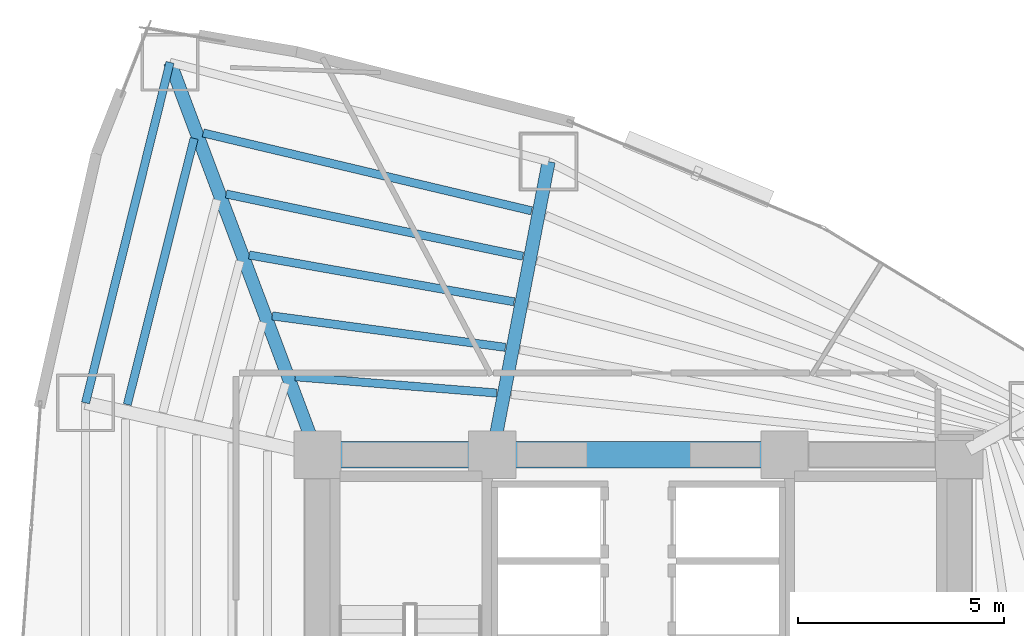
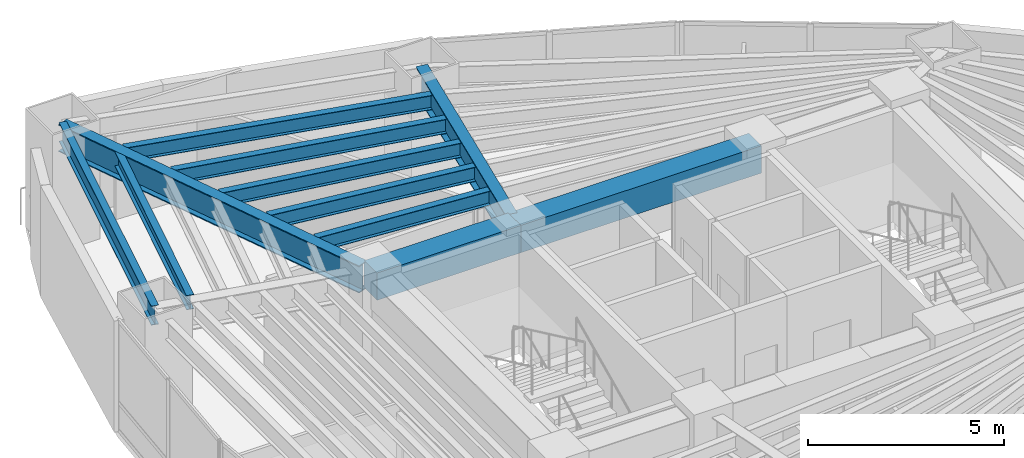
# One storey, part 8 of 18: 11 beams.
"""IFC4 building model written with IfcOpenShell, lengths in metres."""

from ifc_helpers import new_model, si_unit, direction, frame, origin, origin_2d, place, context, subcontext, project, spatial, rectangle, i_section, extrude, material, material_profile, profile_set, type_object, element, save


model = new_model("IFC4")

# Units and contexts
model_context = context("Model", 3, precision=1e-05, world=origin(), true_north=direction((0.0, 1.0)))
body_context = subcontext(model_context, "Body", "Model", "MODEL_VIEW")
ifc_project = project(units=[si_unit("LENGTHUNIT", "METRE"), si_unit("AREAUNIT", "SQUARE_METRE"), si_unit("VOLUMEUNIT", "CUBIC_METRE"), si_unit("PLANEANGLEUNIT", "RADIAN"), si_unit("MASSUNIT", "GRAM", prefix="KILO")], contexts=[model_context])

# Site, building, storey
site_placement = place(None, origin())
site = spatial("IfcSite", under=ifc_project, at=site_placement, CompositionType="ELEMENT")
building_placement = place(site_placement, origin())
building = spatial("IfcBuilding", under=site, at=building_placement, Name="Menara Vayukalpa", CompositionType="ELEMENT")
storey_placement = place(building_placement, frame((0.0, 0.0, 35.0400390625)))
storey = spatial("IfcBuildingStorey", under=building, at=storey_placement, Name="L07", CompositionType="ELEMENT", Elevation=35.0400390625)

# Beams
ifc_material_1 = material(Name="Concrete C60/75", Category="concrete")
ifc_material_profile_1 = material_profile(ifc_material_1, rectangle(XDim=0.64990234375, YDim=0.85009765625, at=origin_2d()), Name="RC 650x850")
ifc_profile_set_1 = profile_set([ifc_material_profile_1], Name="Concrete C60/75")
beam_type_1 = type_object("IfcBeamType", Name="BM-CB1", PredefinedType="BEAM", material=ifc_profile_set_1)
beam_1_placement = place(storey_placement, frame((17.800048828125, 26.800048828125, 3.044921875), z_axis=(1.0, 0.0, 0.0), x_axis=(0.0, 1.0, 0.0)))
element("IfcBeam", 1, at=beam_1_placement, inside=storey, type_object=beam_type_1, Name="L07 Core Tie Beam CBR4", PredefinedType="BEAM", context=body_context, shape_type="SweptSolid", body=[
    extrude(rectangle(XDim=0.64990234375, YDim=0.85009765625, at=origin_2d()), origin(), (0.0, 0.0, 1.0), 4.25),
])
beam_2_placement = place(storey_placement, frame((22.050048828125, 26.800048828125, 3.044921875), z_axis=(1.0, 0.0, 0.0), x_axis=(0.0, 1.0, 0.0)))
element("IfcBeam", 2, at=beam_2_placement, inside=storey, type_object=beam_type_1, Name="L07 Core Tie Beam CBR5", PredefinedType="BEAM", context=body_context, shape_type="SweptSolid", body=[
    extrude(rectangle(XDim=0.64990234375, YDim=0.85009765625, at=origin_2d()), origin(), (0.0, 0.0, 1.0), 7.099853515625),
])
ifc_material_2 = material(Name="Steel S355", Category="steel")
ifc_material_profile_2 = material_profile(ifc_material_2, i_section(OverallWidth=0.320068359375, OverallDepth=0.85009765625, WebThickness=0.01611328125, FlangeThickness=0.030029296875, at=origin_2d()), Name="WF 850x320x16x30")
ifc_profile_set_2 = profile_set([ifc_material_profile_2], Name="Steel S355")
beam_type_2 = type_object("IfcBeamType", Name="BM-PG2", PredefinedType="BEAM", material=ifc_profile_set_2)
beam_3_placement = place(storey_placement, frame((22.09716796875, 27.04541015625, 3.044921875), z_axis=(0.188803432672, 0.982014899995, 0.0), x_axis=(-0.982014899995, 0.188803432672, 0.0)))
element("IfcBeam", 3, at=beam_3_placement, inside=storey, type_object=beam_type_2, Name="L07 Primary Radial Girder RG03", PredefinedType="BEAM", context=body_context, shape_type="SweptSolid", body=[
    extrude(i_section(OverallWidth=0.320068359375, OverallDepth=0.85009765625, WebThickness=0.01611328125, FlangeThickness=0.030029296875, at=origin_2d()), origin(), (0.0, 0.0, 1.0), 7.00341796875),
])
beam_4_placement = place(storey_placement, frame((17.712158203125, 27.033935546875, 3.044921875), z_axis=(-0.351734656537, 0.93609974436, 0.0), x_axis=(-0.93609974436, -0.351734656537, 0.0)))
element("IfcBeam", 4, at=beam_4_placement, inside=storey, type_object=beam_type_2, Name="L07 Primary Radial Girder RG04", PredefinedType="BEAM", context=body_context, shape_type="SweptSolid", body=[
    extrude(i_section(OverallWidth=0.320068359375, OverallDepth=0.85009765625, WebThickness=0.01611328125, FlangeThickness=0.030029296875, at=origin_2d()), origin(), (0.0, 0.0, 1.0), 9.935302734375),
])
ifc_material_3 = material(Name="Steel S355", Category="steel")
ifc_material_profile_3 = material_profile(ifc_material_3, i_section(OverallWidth=0.199951171875, OverallDepth=0.449951171875, WebThickness=0.009033203125, FlangeThickness=0.013916015625, at=origin_2d()), Name="WF 450x200x9x14")
ifc_profile_set_3 = profile_set([ifc_material_profile_3], Name="Steel S355")
beam_type_3 = type_object("IfcBeamType", Name="BM-SJ1", PredefinedType="JOIST", material=ifc_profile_set_3)
beam_5_placement = place(storey_placement, frame((22.15576171875, 28.2978515625, 3.244873046875), z_axis=(-0.996745483939, 0.08061290373, 0.0), x_axis=(-0.08061290373, -0.996745483939, 0.0)))
element("IfcBeam", 5, at=beam_5_placement, inside=storey, type_object=beam_type_3, Name="L07 Secondary Floor Joist SJ03-1", PredefinedType="JOIST", context=body_context, shape_type="SweptSolid", body=[
    extrude(i_section(OverallWidth=0.199951171875, OverallDepth=0.449951171875, WebThickness=0.009033203125, FlangeThickness=0.013916015625, at=origin_2d()), origin(), (0.0, 0.0, 1.0), 4.9091796875),
])
beam_6_placement = place(storey_placement, frame((22.368408203125, 29.40771484375, 3.244873046875), z_axis=(-0.991021966654, 0.13369914588, 0.0), x_axis=(-0.13369914588, -0.991021966654, 0.0)))
element("IfcBeam", 6, at=beam_6_placement, inside=storey, type_object=beam_type_3, Name="L07 Secondary Floor Joist SJ03-2", PredefinedType="JOIST", context=body_context, shape_type="SweptSolid", body=[
    extrude(i_section(OverallWidth=0.199951171875, OverallDepth=0.449951171875, WebThickness=0.009033203125, FlangeThickness=0.013916015625, at=origin_2d()), origin(), (0.0, 0.0, 1.0), 5.71728515625),
])
beam_7_placement = place(storey_placement, frame((22.5810546875, 30.515380859375, 3.244873046875), z_axis=(-0.984753096925, 0.173957862993, 0.0), x_axis=(-0.173957862993, -0.984753096925, 0.0)))
element("IfcBeam", 7, at=beam_7_placement, inside=storey, type_object=beam_type_3, Name="L07 Secondary Floor Joist SJ03-3", PredefinedType="JOIST", context=body_context, shape_type="SweptSolid", body=[
    extrude(i_section(OverallWidth=0.199951171875, OverallDepth=0.449951171875, WebThickness=0.009033203125, FlangeThickness=0.013916015625, at=origin_2d()), origin(), (0.0, 0.0, 1.0), 6.53857421875),
])
beam_8_placement = place(storey_placement, frame((22.793701171875, 31.62158203125, 3.244873046875), z_axis=(-0.978676146728, 0.205409346977, 0.0), x_axis=(-0.205409346977, -0.978676146728, 0.0)))
element("IfcBeam", 8, at=beam_8_placement, inside=storey, type_object=beam_type_3, Name="L07 Secondary Floor Joist SJ03-4", PredefinedType="JOIST", context=body_context, shape_type="SweptSolid", body=[
    extrude(i_section(OverallWidth=0.199951171875, OverallDepth=0.449951171875, WebThickness=0.009033203125, FlangeThickness=0.013916015625, at=origin_2d()), origin(), (0.0, 0.0, 1.0), 7.369140625),
])
beam_9_placement = place(storey_placement, frame((23.00634765625, 32.726318359375, 3.244873046875), z_axis=(-0.97303971213, 0.23063763487, 0.0), x_axis=(-0.23063763487, -0.97303971213, 0.0)))
element("IfcBeam", 9, at=beam_9_placement, inside=storey, type_object=beam_type_3, Name="L07 Secondary Floor Joist SJ03-5", PredefinedType="JOIST", context=body_context, shape_type="SweptSolid", body=[
    extrude(i_section(OverallWidth=0.199951171875, OverallDepth=0.449951171875, WebThickness=0.009033203125, FlangeThickness=0.013916015625, at=origin_2d()), origin(), (0.0, 0.0, 1.0), 8.205810546875),
])
beam_10_placement = place(storey_placement, frame((14.802734375, 34.485595703125, 3.244873046875), z_axis=(-0.243517460774, -0.96989651319, 0.0), x_axis=(0.96989651319, -0.243517460774, 0.0)))
element("IfcBeam", 10, at=beam_10_placement, inside=storey, type_object=beam_type_3, Name="L07 Secondary Floor Joist SJ04-5", PredefinedType="JOIST", context=body_context, shape_type="SweptSolid", body=[
    extrude(i_section(OverallWidth=0.199951171875, OverallDepth=0.449951171875, WebThickness=0.009033203125, FlangeThickness=0.013916015625, at=origin_2d()), origin(), (0.0, 0.0, 1.0), 6.6689453125),
])
ifc_material_4 = material(Name="Steel S355", Category="steel")
ifc_material_profile_4 = material_profile(ifc_material_4, i_section(OverallWidth=0.199951171875, OverallDepth=0.60009765625, WebThickness=0.010986328125, FlangeThickness=0.01708984375, at=origin_2d()), Name="WF 600x200x11x17")
ifc_profile_set_4 = profile_set([ifc_material_profile_4], Name="Steel S355")
beam_type_4 = type_object("IfcBeamType", Name="BM-SP1", PredefinedType="SPANDREL", material=ifc_profile_set_4)
beam_11_placement = place(storey_placement, frame((14.217529296875, 36.33447265625, 3.169921875), z_axis=(-0.240823860364, -0.970568837476, 0.0), x_axis=(0.970568837476, -0.240823860364, 0.0)))
element("IfcBeam", 11, at=beam_11_placement, inside=storey, type_object=beam_type_4, Name="L07 Perimeter Spandrel Beam SP04", PredefinedType="SPANDREL", context=body_context, shape_type="SweptSolid", body=[
    extrude(i_section(OverallWidth=0.199951171875, OverallDepth=0.60009765625, WebThickness=0.010986328125, FlangeThickness=0.01708984375, at=origin_2d()), origin(), (0.0, 0.0, 1.0), 8.52587890625),
])

save(model, "model.ifc")
